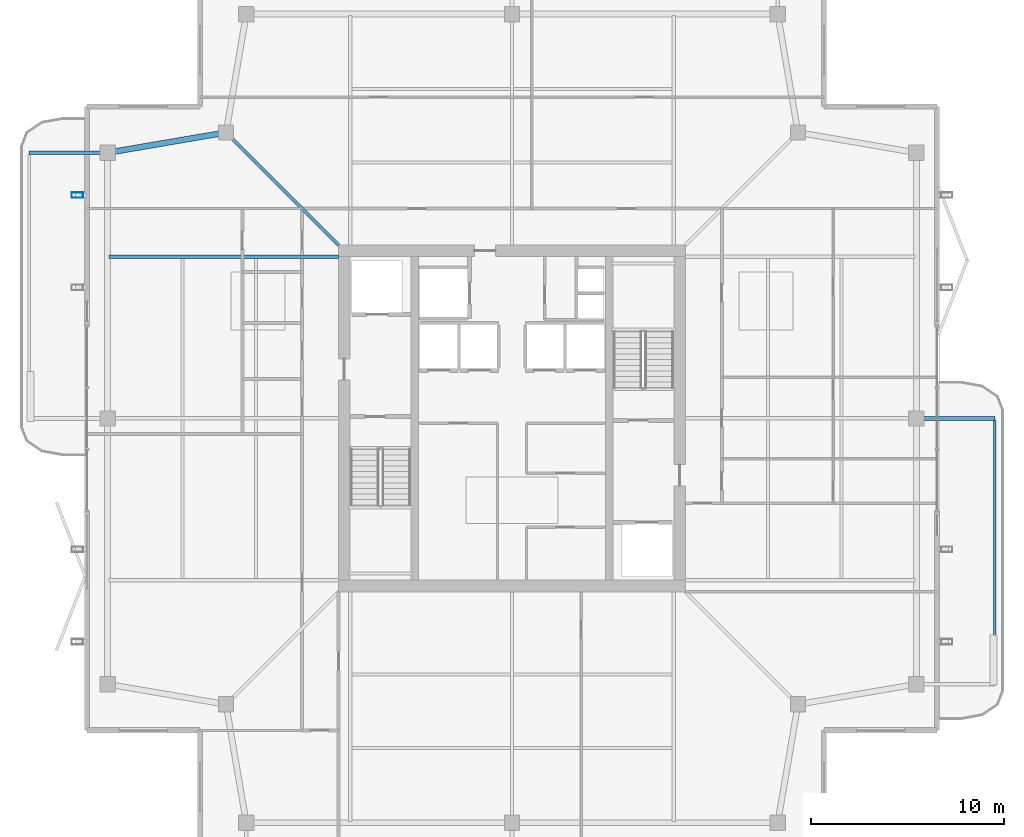
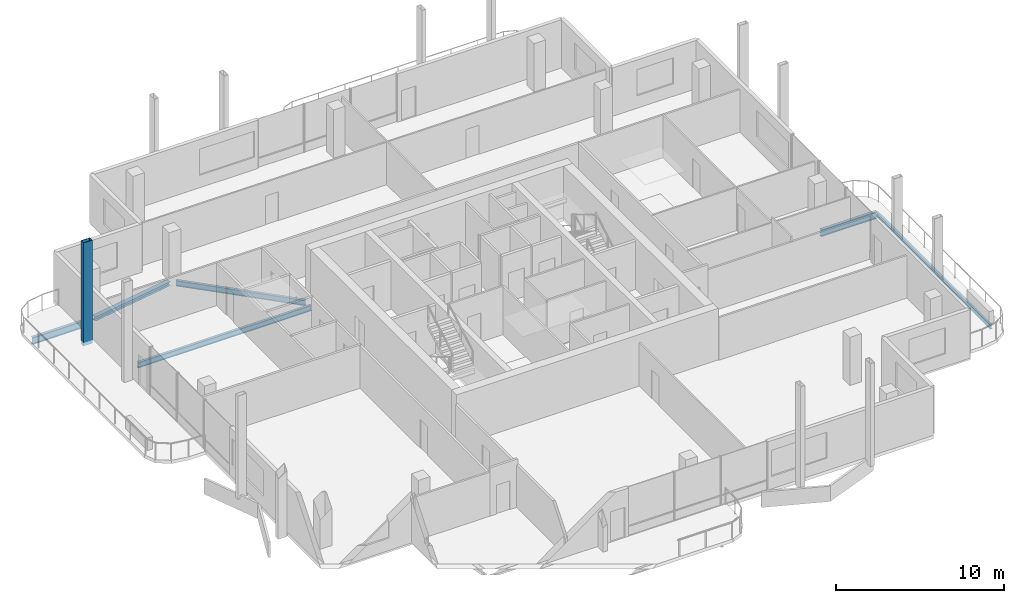
# One storey, part 11 of 22: 6 beams, 1 member.
"""IFC4 building model written with IfcOpenShell, lengths in metres."""

import ifcopenshell
import ifcopenshell.guid

model = None  # the IFC model being written
_history = None  # IfcOwnerHistory: only IFC2X3 demands one
_inside = {}  # id of a spatial element -> (the spatial element, [elements in it])
_under = {}  # id of a project, library or spatial element -> (it, [spatial elements below it])
_declared = {}  # id of a project -> (the project, [libraries it declares])
_typed = {}  # id of a type object -> (the type object, [elements of that type])
_made_of = {}  # id of a material, layer set ... -> (it, [elements and type objects made of it])


def new_model(schema):
    """Start an empty IFC model of exactly this schema.

    Asked for "IFC4X3", IfcOpenShell would pick the latest addendum, in which some entities
    have other attributes; the version numbers below select the first issue.
    IFC2X3 requires an IfcOwnerHistory on every rooted entity: one is made here for all.
    """
    global model, _history
    if schema == "IFC4X3":
        model = ifcopenshell.file(schema_version=(4, 3, 0, 0))
    else:
        model = ifcopenshell.file(schema=schema)
    _inside.clear()
    _under.clear()
    _declared.clear()
    _typed.clear()
    _made_of.clear()
    _history = None
    if model.schema == "IFC2X3":
        org = make("IfcOrganization", Name="unknown")
        user = make(
            "IfcPersonAndOrganization",
            ThePerson=make("IfcPerson", FamilyName="unknown"),
            TheOrganization=org,
        )
        app = make(
            "IfcApplication",
            ApplicationDeveloper=org,
            Version="unknown",
            ApplicationFullName="unknown",
            ApplicationIdentifier="unknown",
        )
        _history = make(
            "IfcOwnerHistory",
            OwningUser=user,
            OwningApplication=app,
            ChangeAction="ADDED",
            CreationDate=0,
        )
    return model


def make(cls, **values):
    """One entity of the class cls with the attributes given. An attribute that is None is left unset."""
    return model.create_entity(
        cls, **{name: value for name, value in values.items() if value is not None}
    )


def rooted(cls, **values):
    """An entity with a GlobalId (a new one), such as an element, a storey or a relation."""
    return make(cls, GlobalId=ifcopenshell.guid.new(), OwnerHistory=_history, **values)


def si_unit(unit_type, name, prefix=None):
    """IfcSIUnit, for example si_unit("LENGTHUNIT", "METRE", prefix="MILLI")."""
    return make("IfcSIUnit", UnitType=unit_type, Prefix=prefix, Name=name)


def assignment(units):
    """IfcUnitAssignment: the units of a project."""
    return None if units is None else make("IfcUnitAssignment", Units=units)


def point(xyz):
    """IfcCartesianPoint."""
    return None if xyz is None else make("IfcCartesianPoint", Coordinates=xyz)


def direction(xyz):
    """IfcDirection."""
    return None if xyz is None else make("IfcDirection", DirectionRatios=xyz)


def frame(location, z_axis=None, x_axis=None):
    """IfcAxis2Placement3D, a coordinate frame: its origin and axes. An axis left out is left unset."""
    return make(
        "IfcAxis2Placement3D",
        Location=point(location),
        Axis=direction(z_axis),
        RefDirection=direction(x_axis),
    )


def frame_2d(location, x_axis=None):
    """IfcAxis2Placement2D, a coordinate frame in the plane: its origin and x axis."""
    return make(
        "IfcAxis2Placement2D", Location=point(location), RefDirection=direction(x_axis)
    )


def origin():
    """The frame at (0, 0, 0) with its axes left unset."""
    return frame((0.0, 0.0, 0.0))


def origin_2d():
    """The frame at (0, 0) in the plane with its x axis left unset."""
    return frame_2d((0.0, 0.0))


def place(relative_to, where):
    """IfcLocalPlacement: puts the frame where relative to a parent placement (None: the world)."""
    return make(
        "IfcLocalPlacement", PlacementRelTo=relative_to, RelativePlacement=where
    )


def context(
    kind, dimensions, precision=None, world=None, true_north=None, identifier=None
):
    """IfcGeometricRepresentationContext, for example the 3D "Model" context."""
    return make(
        "IfcGeometricRepresentationContext",
        ContextIdentifier=identifier,
        ContextType=kind,
        CoordinateSpaceDimension=dimensions,
        Precision=precision,
        WorldCoordinateSystem=world,
        TrueNorth=true_north,
    )


def subcontext(parent, identifier, kind, view, scale=None):
    """IfcGeometricRepresentationSubContext, for example "Body" below "Model"."""
    return make(
        "IfcGeometricRepresentationSubContext",
        ContextIdentifier=identifier,
        ContextType=kind,
        ParentContext=parent,
        TargetScale=scale,
        TargetView=view,
    )


def project(units=None, contexts=None):
    """IfcProject with its units and contexts."""
    return rooted(
        "IfcProject",
        Name="project",
        RepresentationContexts=contexts,
        UnitsInContext=assignment(units),
    )


def spatial(cls, under=None, at=None, **own):
    """A site, building, storey or space (cls), placed at a placement, below another one or the project."""
    s = rooted(cls, ObjectPlacement=at, **own)
    if under is not None:
        _under.setdefault(under.id(), (under, []))[1].append(s)
    return s


def profile(cls, at=None, kind="AREA", **sizes):
    """A parametric profile (cls). Its sizes go by their IFC names, for example OverallWidth=200.0."""
    return make(cls, ProfileType=kind, Position=at, **sizes)


def hollow_rectangle(**sizes):
    """IfcRectangleHollowProfileDef."""
    return profile("IfcRectangleHollowProfileDef", **sizes)


def i_section(**sizes):
    """IfcIShapeProfileDef."""
    return profile("IfcIShapeProfileDef", **sizes)


def extrude(swept, where, along, depth):
    """IfcExtrudedAreaSolid: the profile swept, set in the frame where, extruded along a direction by depth."""
    return make(
        "IfcExtrudedAreaSolid",
        SweptArea=swept,
        Position=where,
        ExtrudedDirection=direction(along),
        Depth=depth,
    )


def shape(context_of_items, identifier, shape_type, items):
    """IfcShapeRepresentation: the items that make up one representation, for example the "Body"."""
    return make(
        "IfcShapeRepresentation",
        ContextOfItems=context_of_items,
        RepresentationIdentifier=identifier,
        RepresentationType=shape_type,
        Items=items,
    )


def material(Name=None, Category=None):
    """IfcMaterial."""
    return make("IfcMaterial", Name=Name, Category=Category)


def material_profile(
    of_material, cross_section, Name=None, Category=None, Priority=None
):
    """IfcMaterialProfile: a cross section and its material."""
    return make(
        "IfcMaterialProfile",
        Name=Name,
        Material=of_material,
        Profile=cross_section,
        Priority=Priority,
        Category=Category,
    )


def profile_set(profiles, Name=None, composite=None):
    """IfcMaterialProfileSet."""
    return make(
        "IfcMaterialProfileSet",
        Name=Name,
        MaterialProfiles=profiles,
        CompositeProfile=composite,
    )


def made_of(thing, what):
    """Note that an element or type object is made of a material, layer set ...; save() writes the relation."""
    if what is not None:
        _made_of.setdefault(what.id(), (what, []))[1].append(thing)
    return thing


def type_object(cls, material=None, **own):
    """A type object (cls), such as IfcWallType, which elements share."""
    return made_of(rooted(cls, **own), material)


def element(
    cls,
    number,
    at=None,
    inside=None,
    cuts=None,
    type_object=None,
    material=None,
    context=None,
    identifier="Body",
    shape_type=None,
    held_by="IfcProductDefinitionShape",
    body=None,
    shapes=None,
    **own,
):
    """One element of the class cls, such as IfcWall. Its Tag is "e" and its number.

    at: its placement. inside: the storey or other place that contains it. cuts: it is an
    opening in that element (IfcRelVoidsElement). A single representation is given by context,
    identifier, shape_type and body (its items); several are given by shapes. held_by: the class
    of the entity that holds the representations. save() writes the other relations.
    """
    e = rooted(cls, Tag="e%d" % number, ObjectPlacement=at, **own)
    if body is not None:
        shapes = [shape(context, identifier, shape_type, body)]
    if shapes is not None:
        e.Representation = make(held_by, Representations=shapes)
    if inside is not None:
        _inside.setdefault(inside.id(), (inside, []))[1].append(e)
    if cuts is not None:
        rooted(
            "IfcRelVoidsElement", RelatingBuildingElement=cuts, RelatedOpeningElement=e
        )
    if type_object is not None:
        _typed.setdefault(type_object.id(), (type_object, []))[1].append(e)
    return made_of(e, material)


def aggregate(whole, parts):
    """IfcRelAggregates: a whole, such as a stair, and the parts it consists of."""
    return rooted("IfcRelAggregates", RelatingObject=whole, RelatedObjects=parts)


def save(model, path):
    """Write the relations noted so far, then the file.

    IfcRelAggregates (storeys below a building ...), IfcRelContainedInSpatialStructure (elements
    in a storey), IfcRelDefinesByType, IfcRelAssociatesMaterial and IfcRelDeclares: one each for
    every whole, place, type object, material and project.
    """
    for whole, parts in _under.values():
        aggregate(whole, parts)
    for where, things in _inside.values():
        rooted(
            "IfcRelContainedInSpatialStructure",
            RelatedElements=things,
            RelatingStructure=where,
        )
    for kind, things in _typed.values():
        rooted("IfcRelDefinesByType", RelatedObjects=things, RelatingType=kind)
    for what, things in _made_of.values():
        rooted("IfcRelAssociatesMaterial", RelatedObjects=things, RelatingMaterial=what)
    for by, libraries in _declared.values():
        rooted("IfcRelDeclares", RelatingContext=by, RelatedDefinitions=libraries)
    model.write(path)


model = new_model("IFC4")

# Units and contexts
model_context = context("Model", 3, precision=1e-05, world=origin(), true_north=direction((0.0, 1.0)))
body_context = subcontext(model_context, "Body", "Model", "MODEL_VIEW")
ifc_project = project(units=[si_unit("LENGTHUNIT", "METRE"), si_unit("AREAUNIT", "SQUARE_METRE"), si_unit("VOLUMEUNIT", "CUBIC_METRE"), si_unit("PLANEANGLEUNIT", "RADIAN"), si_unit("MASSUNIT", "GRAM", prefix="KILO")], contexts=[model_context])

# Site, building, storey
site_placement = place(None, origin())
site = spatial("IfcSite", under=ifc_project, at=site_placement, CompositionType="ELEMENT")
building_placement = place(site_placement, origin())
building = spatial("IfcBuilding", under=site, at=building_placement, Name="Belovzor Exchange Tower", CompositionType="ELEMENT")
storey_placement = place(building_placement, frame((0.0, 0.0, 336.75)))
storey = spatial("IfcBuildingStorey", under=building, at=storey_placement, Name="L84", CompositionType="ELEMENT", Elevation=336.75)

# Beams
ifc_material_1 = material(Name="Steel S355", Category="steel")
ifc_material_profile_1 = material_profile(ifc_material_1, i_section(OverallWidth=0.199951171875, OverallDepth=0.5, WebThickness=0.01025390625, FlangeThickness=0.01611328125, at=origin_2d()))
ifc_profile_set_1 = profile_set([ifc_material_profile_1], Name="Steel S355")
beam_type_1 = type_object("IfcBeamType", Name="Planted Balcony Cantilever Beam IPE 500", PredefinedType="BEAM", material=ifc_profile_set_1)
for number, where, z_axis, x_axis, name in (
    (1, (50.02001953125, 28.800048828125, -0.489990234375), (1.0, 0.0, 0.0), (0.0, 1.0, 0.0), "BC-500 Planted Balcony Cantilever Beam IPE 500"),
    (2, (7.580078125, 42.60009765625, -0.489990234375), (-1.0, 0.0, 0.0), (0.0, -1.0, 0.0), "BC-500 Planted Balcony Cantilever Beam IPE 500"),
):
    element("IfcBeam", number, at=place(storey_placement, frame(where, z_axis=z_axis, x_axis=x_axis)), inside=storey, type_object=beam_type_1, Name=name, PredefinedType="BEAM", context=body_context, shape_type="SweptSolid", body=[
        extrude(i_section(OverallWidth=0.199951171875, OverallDepth=0.5, WebThickness=0.01025390625, FlangeThickness=0.01611328125, at=origin_2d()), origin(), (0.0, 0.0, 1.0), 3.85009765625),
    ])
ifc_material_2 = material(Name="Steel S355", Category="steel")
ifc_material_profile_2 = material_profile(ifc_material_2, i_section(OverallWidth=0.14990234375, OverallDepth=0.300048828125, WebThickness=0.007080078125, FlangeThickness=0.0107421875, at=origin_2d()))
ifc_profile_set_2 = profile_set([ifc_material_profile_2], Name="Steel S355")
beam_type_2 = type_object("IfcBeamType", Name="Planted Balcony Fascia Edge Beam IPE 300", PredefinedType="BEAM", material=ifc_profile_set_2)
beam_1_placement = place(storey_placement, frame((53.8701171875, 15.10009765625, -0.389892578125), z_axis=(0.0, 1.0, 0.0), x_axis=(-1.0, 0.0, 0.0)))
element("IfcBeam", 3, at=beam_1_placement, inside=storey, type_object=beam_type_2, Name="BC-300 Planted Balcony Fascia Edge Beam IPE 300", PredefinedType="BEAM", context=body_context, shape_type="SweptSolid", body=[
    extrude(i_section(OverallWidth=0.14990234375, OverallDepth=0.300048828125, WebThickness=0.007080078125, FlangeThickness=0.0107421875, at=origin_2d()), origin(), (0.0, 0.0, 1.0), 13.599853515625),
])

# Member
ifc_material_3 = material(Name="Extruded Architectural Terracotta on Steel S355 Carrier", Category="masonry")
ifc_material_profile_3 = material_profile(ifc_material_3, hollow_rectangle(XDim=0.300048828125, YDim=0.60009765625, WallThickness=0.01611328125, at=origin_2d()))
ifc_profile_set_3 = profile_set([ifc_material_profile_3], Name="Extruded Architectural Terracotta on Steel S355 Carrier")
member_type = type_object("IfcMemberType", Name="Upper Crown Terracotta Fin Assembly 550", PredefinedType="USERDEFINED", material=ifc_profile_set_3)
member_placement = place(storey_placement, frame((6.22509765625, 40.39990234375, -0.239990234375), z_axis=(0.0, 0.0, 1.0), x_axis=(0.0, 1.0, 0.0)))
element("IfcMember", 4, at=member_placement, inside=storey, type_object=member_type, Name="FIN-TC055 Terracotta Facade Fin L84 W4", ObjectType="FIN", PredefinedType="USERDEFINED", context=body_context, shape_type="SweptSolid", body=[
    extrude(hollow_rectangle(XDim=0.300048828125, YDim=0.60009765625, WallThickness=0.01611328125, at=origin_2d()), origin(), (0.0, 0.0, 1.0), 7.5),
])

# Beams
ifc_material_4 = material(Name="Steel S355", Category="steel")
ifc_material_profile_4 = material_profile(ifc_material_4, i_section(OverallWidth=0.179931640625, OverallDepth=0.39990234375, WebThickness=0.008544921875, FlangeThickness=0.013427734375, at=origin_2d()))
ifc_profile_set_4 = profile_set([ifc_material_profile_4], Name="Steel S355")
beam_type_3 = type_object("IfcBeamType", Name="Zone 5-6 Radial Composite Floor Beam IPE 400", PredefinedType="BEAM", material=ifc_profile_set_4)
beam_2_placement = place(storey_placement, frame((19.800048828125, 37.199951171875, -0.43994140625), z_axis=(-1.0, 0.0, 0.0), x_axis=(0.0, -1.0, 0.0)))
element("IfcBeam", 5, at=beam_2_placement, inside=storey, type_object=beam_type_3, Name="FB-400 Zone 5-6 Radial Composite Floor Beam IPE 400", PredefinedType="BEAM", context=body_context, shape_type="SweptSolid", body=[
    extrude(i_section(OverallWidth=0.179931640625, OverallDepth=0.39990234375, WebThickness=0.008544921875, FlangeThickness=0.013427734375, at=origin_2d()), origin(), (0.0, 0.0, 1.0), 11.925048828125),
])
beam_3_placement = place(storey_placement, frame((19.800048828125, 37.800048828125, -0.43994140625), z_axis=(-0.707122058256, 0.707091503787, 0.0), x_axis=(-0.707091503787, -0.707122058256, 0.0)))
element("IfcBeam", 6, at=beam_3_placement, inside=storey, type_object=beam_type_3, Name="FB-400 Zone 5-6 Radial Composite Floor Beam IPE 400", PredefinedType="BEAM", context=body_context, shape_type="SweptSolid", body=[
    extrude(i_section(OverallWidth=0.179931640625, OverallDepth=0.39990234375, WebThickness=0.008544921875, FlangeThickness=0.013427734375, at=origin_2d()), origin(), (0.0, 0.0, 1.0), 7.990234375),
])
ifc_material_5 = material(Name="Steel S355", Category="steel")
ifc_material_profile_5 = material_profile(ifc_material_5, i_section(OverallWidth=0.300048828125, OverallDepth=0.300048828125, WebThickness=0.008544921875, FlangeThickness=0.013916015625, at=origin_2d()))
ifc_profile_set_5 = profile_set([ifc_material_profile_5], Name="Steel S355")
beam_type_4 = type_object("IfcBeamType", Name="Zone 6 Primary Girder HEA 300", PredefinedType="BEAM", material=ifc_profile_set_5)
beam_4_placement = place(storey_placement, frame((13.73291015625, 43.613037109375, -0.389892578125), z_axis=(-0.985730632633, -0.168330389085, 0.0), x_axis=(0.168330389085, -0.985730632633, 0.0)))
element("IfcBeam", 7, at=beam_4_placement, inside=storey, type_object=beam_type_4, Name="FG-Z6 Zone 6 Primary Girder HEA 300", PredefinedType="BEAM", context=body_context, shape_type="SweptSolid", body=[
    extrude(i_section(OverallWidth=0.300048828125, OverallDepth=0.300048828125, WebThickness=0.008544921875, FlangeThickness=0.013916015625, at=origin_2d()), origin(), (0.0, 0.0, 1.0), 5.798583984375),
])

save(model, "model.ifc")
